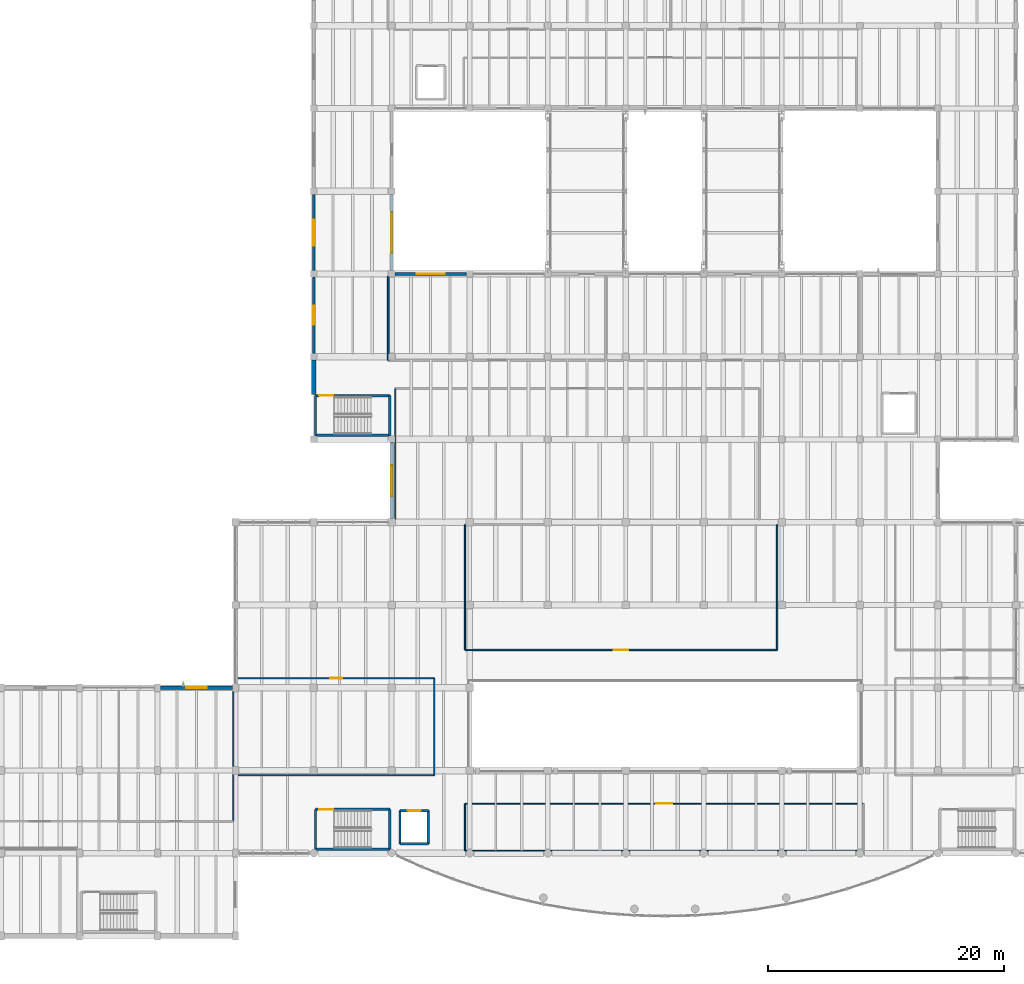
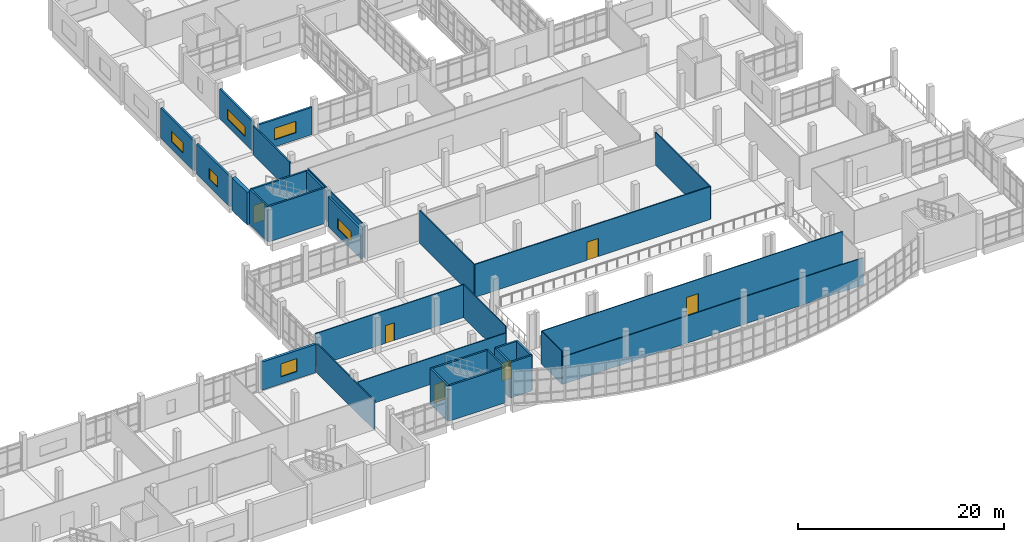
# One storey, part 50 of 67: 31 walls, 6 doors, 6 windows, 12 openings.
"""IFC4 building model written with IfcOpenShell, lengths in metres."""

from ifc_helpers import new_model, si_unit, direction, frame, frame_2d, origin, place, context, subcontext, project, spatial, rectangle, extrude, material, layer, layer_set, type_object, element, fill, save


model = new_model("IFC4")

# Units and contexts
model_context = context("Model", 3, precision=1e-05, world=origin(), true_north=direction((0.0, 1.0)))
body_context = subcontext(model_context, "Body", "Model", "MODEL_VIEW")
ifc_project = project(units=[si_unit("LENGTHUNIT", "METRE"), si_unit("AREAUNIT", "SQUARE_METRE"), si_unit("VOLUMEUNIT", "CUBIC_METRE"), si_unit("PLANEANGLEUNIT", "RADIAN"), si_unit("MASSUNIT", "GRAM", prefix="KILO")], contexts=[model_context])

# Site, building, storey
site_placement = place(None, origin())
site = spatial("IfcSite", under=ifc_project, at=site_placement, CompositionType="ELEMENT")
building_placement = place(site_placement, origin())
building = spatial("IfcBuilding", under=site, at=building_placement, Name="Ciguamira Faculty of Natural Sciences", CompositionType="ELEMENT")
storey_placement = place(building_placement, frame((0.0, 0.0, 8.39990234375)))
storey = spatial("IfcBuildingStorey", under=building, at=storey_placement, Name="L02", CompositionType="ELEMENT", Elevation=8.39990234375)

# Wall, opening, window
ifc_material_1 = material(Name="Precast concrete C40/50", Category="concrete")
ifc_layer_1 = layer(ifc_material_1, 0.280029296875, Name="Precast concrete C40/50")
ifc_layer_set_1 = layer_set([ifc_layer_1], Name="Precast concrete C40/50")
wall_type_1 = type_object("IfcWallType", Name="ExtWall_EW-01_280", PredefinedType="SOLIDWALL", material=ifc_layer_set_1)
wall_1_placement = place(storey_placement, frame((44.35009765625, 24.0, 0.0), z_axis=(0.0, 0.0, 1.0), x_axis=(1.0, 0.0, 0.0)))
wall_1 = element("IfcWall", 1, at=wall_1_placement, inside=storey, type_object=wall_type_1, Name="L02 exterior wall 0215", PredefinedType="SOLIDWALL", context=body_context, shape_type="SweptSolid", body=[
    extrude(rectangle(XDim=6.099853515625, YDim=0.280029296875, at=frame_2d((3.0498046875, 0.0))), origin(), (0.0, 0.0, 1.0), 3.34521484375),
])
opening_1_placement = place(wall_1_placement, frame((2.175048828125, 0.0, 0.85009765625)))
opening_1 = element("IfcOpeningElement", 2, at=opening_1_placement, cuts=wall_1, Name="Opening WT-39", PredefinedType="OPENING", context=body_context, shape_type="SweptSolid", body=[
    extrude(rectangle(XDim=1.75, YDim=1.550048828125, at=frame_2d((0.875, 0.77490234375))), frame((0.0, 0.14990234375, 0.0), z_axis=(0.0, -1.0, 0.0), x_axis=(1.0, 0.0, 0.0)), (0.0, 0.0, 1.0), 0.300048828125),
])
ifc_material_2 = material(Name="Hurricane laminated solar glass", Category="glass")
window_type_1 = type_object("IfcWindowType", Name="Window_WT-39_1750x1550", PartitioningType="DOUBLE_PANEL_VERTICAL", PredefinedType="WINDOW", material=ifc_material_2)
window_1_placement = place(opening_1_placement, origin())
window_1 = element("IfcWindow", 3, at=window_1_placement, inside=storey, type_object=window_type_1, Name="L02 facade window 0126", OverallHeight=1.550048828125, OverallWidth=1.75, PartitioningType="SINGLE_PANEL", PredefinedType="WINDOW", context=body_context, shape_type="SweptSolid", body=[
    extrude(rectangle(XDim=1.75, YDim=1.550048828125, at=frame_2d((0.875, 0.77490234375))), frame((0.0, 0.030029296875, 0.0), z_axis=(0.0, -1.0, 0.0), x_axis=(1.0, 0.0, 0.0)), (0.0, 0.0, 1.0), 0.06005859375),
])
fill(opening_1, window_1)

ifc_layer_2 = layer(ifc_material_1, 0.219970703125, Name="Precast concrete C40/50")
ifc_layer_set_2 = layer_set([ifc_layer_2], Name="Precast concrete C40/50")
wall_type_2 = type_object("IfcWallType", Name="ExtWall_EW-03_220", PredefinedType="SOLIDWALL", material=ifc_layer_set_2)
wall_2_placement = place(storey_placement, frame((64.175048828125, 59.0, 0.0), z_axis=(0.0, 0.0, 1.0), x_axis=(1.0, 0.0, 0.0)))
wall_2 = element("IfcWall", 4, at=wall_2_placement, inside=storey, type_object=wall_type_2, Name="L02 exterior wall 0216", PredefinedType="SOLIDWALL", context=body_context, shape_type="SweptSolid", body=[
    extrude(rectangle(XDim=6.050048828125, YDim=0.219970703125, at=frame_2d((3.02490234375, 0.0))), origin(), (0.0, 0.0, 1.0), 3.235107421875),
])
opening_2_placement = place(wall_2_placement, frame((1.824951171875, 0.0, 0.85009765625)))
opening_2 = element("IfcOpeningElement", 5, at=opening_2_placement, cuts=wall_2, Name="Opening WT-07", PredefinedType="OPENING", context=body_context, shape_type="SweptSolid", body=[
    extrude(rectangle(XDim=2.39990234375, YDim=1.35009765625, at=frame_2d((1.199951171875, 0.675048828125))), frame((0.0, 0.119873046875, 0.0), z_axis=(0.0, -1.0, 0.0), x_axis=(1.0, 0.0, 0.0)), (0.0, 0.0, 1.0), 0.239990234375),
])
window_type_2 = type_object("IfcWindowType", Name="Window_WT-07_2400x1350", PartitioningType="DOUBLE_PANEL_VERTICAL", PredefinedType="WINDOW", material=ifc_material_2)
window_2_placement = place(opening_2_placement, origin())
window_2 = element("IfcWindow", 6, at=window_2_placement, inside=storey, type_object=window_type_2, Name="L02 facade window 0127", OverallHeight=1.35009765625, OverallWidth=2.39990234375, PartitioningType="SINGLE_PANEL", PredefinedType="WINDOW", context=body_context, shape_type="SweptSolid", body=[
    extrude(rectangle(XDim=2.39990234375, YDim=1.35009765625, at=frame_2d((1.199951171875, 0.675048828125))), frame((0.0, 0.030029296875, 0.0), z_axis=(0.0, -1.0, 0.0), x_axis=(1.0, 0.0, 0.0)), (0.0, 0.0, 1.0), 0.06005859375),
])
fill(opening_2, window_2)

wall_3_placement = place(storey_placement, frame((57.300048828125, 52.27490234375, 0.0), z_axis=(0.0, 0.0, 1.0), x_axis=(0.0, 1.0, 0.0)))
wall_3 = element("IfcWall", 7, at=wall_3_placement, inside=storey, type_object=wall_type_2, Name="L02 exterior wall 0236", PredefinedType="SOLIDWALL", context=body_context, shape_type="SweptSolid", body=[
    extrude(rectangle(XDim=6.4501953125, YDim=0.219970703125, at=frame_2d((3.22509765625, 0.0))), origin(), (0.0, 0.0, 1.0), 3.565185546875),
])
opening_3_placement = place(wall_3_placement, frame((2.425048828125, 0.0, 0.85009765625)))
opening_3 = element("IfcOpeningElement", 8, at=opening_3_placement, cuts=wall_3, Name="Opening WT-16", PredefinedType="OPENING", context=body_context, shape_type="SweptSolid", body=[
    extrude(rectangle(XDim=1.60009765625, YDim=1.25, at=frame_2d((0.800048828125, 0.625))), frame((0.0, 0.119873046875, 0.0), z_axis=(0.0, -1.0, 0.0), x_axis=(1.0, 0.0, 0.0)), (0.0, 0.0, 1.0), 0.239990234375),
])
window_type_3 = type_object("IfcWindowType", Name="Window_WT-16_1600x1250", PartitioningType="DOUBLE_PANEL_VERTICAL", PredefinedType="WINDOW", material=ifc_material_2)
window_3_placement = place(opening_3_placement, origin())
window_3 = element("IfcWindow", 9, at=window_3_placement, inside=storey, type_object=window_type_3, Name="L02 facade window 0142", OverallHeight=1.25, OverallWidth=1.60009765625, PartitioningType="SINGLE_PANEL", PredefinedType="WINDOW", context=body_context, shape_type="SweptSolid", body=[
    extrude(rectangle(XDim=1.60009765625, YDim=1.25, at=frame_2d((0.800048828125, 0.625))), frame((0.0, 0.030029296875, 0.0), z_axis=(0.0, -1.0, 0.0), x_axis=(1.0, 0.0, 0.0)), (0.0, 0.0, 1.0), 0.06005859375),
])
fill(opening_3, window_3)

wall_4_placement = place(storey_placement, frame((57.300048828125, 59.27490234375, 0.0), z_axis=(0.0, 0.0, 1.0), x_axis=(0.0, 1.0, 0.0)))
wall_4 = element("IfcWall", 10, at=wall_4_placement, inside=storey, type_object=wall_type_2, Name="L02 exterior wall 0237", PredefinedType="SOLIDWALL", context=body_context, shape_type="SweptSolid", body=[
    extrude(rectangle(XDim=6.4501953125, YDim=0.219970703125, at=frame_2d((3.22509765625, 0.0))), origin(), (0.0, 0.0, 1.0), 3.565185546875),
])
opening_4_placement = place(wall_4_placement, frame((2.125, 0.0, 0.85009765625)))
opening_4 = element("IfcOpeningElement", 11, at=opening_4_placement, cuts=wall_4, Name="Opening WT-18", PredefinedType="OPENING", context=body_context, shape_type="SweptSolid", body=[
    extrude(rectangle(XDim=2.199951171875, YDim=1.25, at=frame_2d((1.10009765625, 0.625))), frame((0.0, 0.119873046875, 0.0), z_axis=(0.0, -1.0, 0.0), x_axis=(1.0, 0.0, 0.0)), (0.0, 0.0, 1.0), 0.239990234375),
])
window_type_4 = type_object("IfcWindowType", Name="Window_WT-18_2200x1250", PartitioningType="DOUBLE_PANEL_VERTICAL", PredefinedType="WINDOW", material=ifc_material_2)
window_4_placement = place(opening_4_placement, origin())
window_4 = element("IfcWindow", 12, at=window_4_placement, inside=storey, type_object=window_type_4, Name="L02 facade window 0143", OverallHeight=1.25, OverallWidth=2.199951171875, PartitioningType="SINGLE_PANEL", PredefinedType="WINDOW", context=body_context, shape_type="SweptSolid", body=[
    extrude(rectangle(XDim=2.199951171875, YDim=1.25, at=frame_2d((1.10009765625, 0.625))), frame((0.0, 0.030029296875, 0.0), z_axis=(0.0, -1.0, 0.0), x_axis=(1.0, 0.0, 0.0)), (0.0, 0.0, 1.0), 0.06005859375),
])
fill(opening_4, window_4)

wall_5_placement = place(storey_placement, frame((63.89990234375, 38.300048828125, 0.0), z_axis=(0.0, 0.0, 1.0), x_axis=(0.0, 1.0, 0.0)))
wall_5 = element("IfcWall", 13, at=wall_5_placement, inside=storey, type_object=wall_type_2, Name="L02 exterior wall 0244", PredefinedType="SOLIDWALL", context=body_context, shape_type="SweptSolid", body=[
    extrude(rectangle(XDim=6.425048828125, YDim=0.219970703125, at=frame_2d((3.21240234375, 0.0))), origin(), (0.0, 0.0, 1.0), 3.505126953125),
])
opening_5_placement = place(wall_5_placement, frame((1.91259765625, 0.0, 0.85009765625)))
opening_5 = element("IfcOpeningElement", 14, at=opening_5_placement, cuts=wall_5, Name="Opening WT-32", PredefinedType="OPENING", context=body_context, shape_type="SweptSolid", body=[
    extrude(rectangle(XDim=2.60009765625, YDim=1.199951171875, at=frame_2d((1.300048828125, 0.60009765625))), frame((0.0, 0.119873046875, 0.0), z_axis=(0.0, -1.0, 0.0), x_axis=(1.0, 0.0, 0.0)), (0.0, 0.0, 1.0), 0.239990234375),
])
window_type_5 = type_object("IfcWindowType", Name="Window_WT-32_2600x1200", PartitioningType="DOUBLE_PANEL_VERTICAL", PredefinedType="WINDOW", material=ifc_material_2)
window_5_placement = place(opening_5_placement, origin())
window_5 = element("IfcWindow", 15, at=window_5_placement, inside=storey, type_object=window_type_5, Name="L02 facade window 0150", OverallHeight=1.199951171875, OverallWidth=2.60009765625, PartitioningType="SINGLE_PANEL", PredefinedType="WINDOW", context=body_context, shape_type="SweptSolid", body=[
    extrude(rectangle(XDim=2.60009765625, YDim=1.199951171875, at=frame_2d((1.300048828125, 0.60009765625))), frame((0.0, 0.030029296875, 0.0), z_axis=(0.0, -1.0, 0.0), x_axis=(1.0, 0.0, 0.0)), (0.0, 0.0, 1.0), 0.06005859375),
])
fill(opening_5, window_5)

wall_6_placement = place(storey_placement, frame((63.89990234375, 59.27490234375, 0.0), z_axis=(0.0, 0.0, 1.0), x_axis=(0.0, 1.0, 0.0)))
wall_6 = element("IfcWall", 16, at=wall_6_placement, inside=storey, type_object=wall_type_2, Name="L02 exterior wall 0245", PredefinedType="SOLIDWALL", context=body_context, shape_type="SweptSolid", body=[
    extrude(rectangle(XDim=6.4501953125, YDim=0.219970703125, at=frame_2d((3.22509765625, 0.0))), origin(), (0.0, 0.0, 1.0), 3.505126953125),
])
opening_6_placement = place(wall_6_placement, frame((1.52490234375, 0.0, 0.85009765625)))
opening_6 = element("IfcOpeningElement", 17, at=opening_6_placement, cuts=wall_6, Name="Opening WT-34", PredefinedType="OPENING", context=body_context, shape_type="SweptSolid", body=[
    extrude(rectangle(XDim=3.39990234375, YDim=1.199951171875, at=frame_2d((1.699951171875, 0.60009765625))), frame((0.0, 0.119873046875, 0.0), z_axis=(0.0, -1.0, 0.0), x_axis=(1.0, 0.0, 0.0)), (0.0, 0.0, 1.0), 0.239990234375),
])
window_type_6 = type_object("IfcWindowType", Name="Window_WT-34_3400x1200", PartitioningType="DOUBLE_PANEL_VERTICAL", PredefinedType="WINDOW", material=ifc_material_2)
window_6_placement = place(opening_6_placement, origin())
window_6 = element("IfcWindow", 18, at=window_6_placement, inside=storey, type_object=window_type_6, Name="L02 facade window 0151", OverallHeight=1.199951171875, OverallWidth=3.39990234375, PartitioningType="SINGLE_PANEL", PredefinedType="WINDOW", context=body_context, shape_type="SweptSolid", body=[
    extrude(rectangle(XDim=3.39990234375, YDim=1.199951171875, at=frame_2d((1.699951171875, 0.60009765625))), frame((0.0, 0.030029296875, 0.0), z_axis=(0.0, -1.0, 0.0), x_axis=(1.0, 0.0, 0.0)), (0.0, 0.0, 1.0), 0.06005859375),
])
fill(opening_6, window_6)

# Walls
ifc_material_3 = material(Name="Concrete C40/50", Category="concrete")
ifc_layer_3 = layer(ifc_material_3, 0.39990234375, Name="Concrete C40/50")
ifc_layer_set_3 = layer_set([ifc_layer_3], Name="Concrete C40/50")
wall_type_3 = type_object("IfcWallType", Name="ExtWall_RW-02_400", PredefinedType="SHEAR", material=ifc_layer_set_3)
wall_7_placement = place(storey_placement, frame((57.300048828125, 48.81005859375, 0.0), z_axis=(0.0, 0.0, 1.0), x_axis=(0.0, 1.0, 0.0)))
element("IfcWall", 19, at=wall_7_placement, inside=storey, type_object=wall_type_3, Name="L02 exterior wall 0235", PredefinedType="SHEAR", context=body_context, shape_type="SweptSolid", body=[
    extrude(rectangle(XDim=2.9150390625, YDim=0.39990234375, at=frame_2d((1.45751953125, 0.0))), origin(), (0.0, 0.0, 1.0), 3.85009765625),
])
ifc_layer_4 = layer(ifc_material_3, 0.199951171875, Name="Concrete C40/50")
ifc_layer_set_4 = layer_set([ifc_layer_4], Name="Concrete C40/50")
wall_type_4 = type_object("IfcWallType", Name="IntWall_CW-S20_200", PredefinedType="SHEAR", material=ifc_layer_set_4)
wall_8_placement = place(storey_placement, frame((57.449951171875, 10.35009765625, 0.0), z_axis=(0.0, 0.0, 1.0), x_axis=(1.0, 0.0, 0.0)))
element("IfcWall", 20, at=wall_8_placement, inside=storey, type_object=wall_type_4, Name="L02 ST-A1 core shear wall south", PredefinedType="SHEAR", context=body_context, shape_type="SweptSolid", body=[
    extrude(rectangle(XDim=6.300048828125, YDim=0.199951171875, at=frame_2d((3.14990234375, 0.0))), origin(), (0.0, 0.0, 1.0), 4.2001953125),
])

# Wall, opening, door
wall_9_placement = place(storey_placement, frame((57.449951171875, 13.7099609375, 0.0), z_axis=(0.0, 0.0, 1.0), x_axis=(1.0, 0.0, 0.0)))
wall_9 = element("IfcWall", 21, at=wall_9_placement, inside=storey, type_object=wall_type_4, Name="L02 ST-A1 core shear wall north", PredefinedType="SHEAR", context=body_context, shape_type="SweptSolid", body=[
    extrude(rectangle(XDim=6.300048828125, YDim=0.199951171875, at=frame_2d((3.14990234375, 0.0))), origin(), (0.0, 0.0, 1.0), 4.2001953125),
])
opening_7_placement = place(wall_9_placement, frame((0.320068359375, 0.0, 0.0)))
opening_7 = element("IfcOpeningElement", 22, at=opening_7_placement, cuts=wall_9, Name="Opening ID-14", PredefinedType="OPENING", context=body_context, shape_type="SweptSolid", body=[
    extrude(rectangle(XDim=1.199951171875, YDim=2.14990234375, at=frame_2d((0.60009765625, 1.074951171875))), frame((0.0, 0.10986328125, 0.0), z_axis=(0.0, -1.0, 0.0), x_axis=(1.0, 0.0, 0.0)), (0.0, 0.0, 1.0), 0.219970703125),
])
ifc_material_4 = material(Name="Protected exit stair fire door")
door_type_1 = type_object("IfcDoorType", Name="IntDoor_ID-14_1200x2150", OperationType="NOTDEFINED", PredefinedType="DOOR", material=ifc_material_4)
door_1_placement = place(opening_7_placement, frame((1.199951171875, 0.0, 0.0), z_axis=(0.0, 0.0, 1.0), x_axis=(-1.0, 0.0, 0.0)))
door_1 = element("IfcDoor", 23, at=door_1_placement, inside=storey, type_object=door_type_1, Name="L02 ST-A1 exit stair fire door", OperationType="SINGLE_SWING_RIGHT", OverallHeight=2.14990234375, OverallWidth=1.199951171875, PredefinedType="DOOR", context=body_context, shape_type="SweptSolid", body=[
    extrude(rectangle(XDim=1.199951171875, YDim=2.14990234375, at=frame_2d((0.60009765625, 1.074951171875))), frame((0.0, 0.02490234375, 0.0), z_axis=(0.0, -1.0, 0.0), x_axis=(1.0, 0.0, 0.0)), (0.0, 0.0, 1.0), 0.050048828125),
])
fill(opening_7, door_1)

# Walls
for number, where, z_axis, x_axis, name in (
    (24, (57.449951171875, 10.35009765625, 0.0), (0.0, 0.0, 1.0), (0.0, 1.0, 0.0), "L02 ST-A1 core shear wall west"),
    (25, (63.75, 10.35009765625, 0.0), (0.0, 0.0, 1.0), (0.0, 1.0, 0.0), "L02 ST-A1 core shear wall east"),
):
    element("IfcWall", number, at=place(storey_placement, frame(where, z_axis=z_axis, x_axis=x_axis)), inside=storey, type_object=wall_type_4, Name=name, PredefinedType="SHEAR", context=body_context, shape_type="SweptSolid", body=[
        extrude(rectangle(XDim=3.35986328125, YDim=0.199951171875, at=frame_2d((1.679931640625, 0.0))), origin(), (0.0, 0.0, 1.0), 4.2001953125),
    ])
wall_10_placement = place(storey_placement, frame((57.449951171875, 45.35009765625, 0.0), z_axis=(0.0, 0.0, 1.0), x_axis=(1.0, 0.0, 0.0)))
element("IfcWall", 26, at=wall_10_placement, inside=storey, type_object=wall_type_4, Name="L02 ST-W1 core shear wall south", PredefinedType="SHEAR", context=body_context, shape_type="SweptSolid", body=[
    extrude(rectangle(XDim=6.300048828125, YDim=0.199951171875, at=frame_2d((3.14990234375, 0.0))), origin(), (0.0, 0.0, 1.0), 4.2001953125),
])

# Wall, opening, door
wall_11_placement = place(storey_placement, frame((57.449951171875, 48.7099609375, 0.0), z_axis=(0.0, 0.0, 1.0), x_axis=(1.0, 0.0, 0.0)))
wall_11 = element("IfcWall", 27, at=wall_11_placement, inside=storey, type_object=wall_type_4, Name="L02 ST-W1 core shear wall north", PredefinedType="SHEAR", context=body_context, shape_type="SweptSolid", body=[
    extrude(rectangle(XDim=6.300048828125, YDim=0.199951171875, at=frame_2d((3.14990234375, 0.0))), origin(), (0.0, 0.0, 1.0), 4.2001953125),
])
opening_8_placement = place(wall_11_placement, frame((0.320068359375, 0.0, 0.0)))
opening_8 = element("IfcOpeningElement", 28, at=opening_8_placement, cuts=wall_11, Name="Opening ID-14", PredefinedType="OPENING", context=body_context, shape_type="SweptSolid", body=[
    extrude(rectangle(XDim=1.199951171875, YDim=2.14990234375, at=frame_2d((0.60009765625, 1.074951171875))), frame((0.0, 0.10986328125, 0.0), z_axis=(0.0, -1.0, 0.0), x_axis=(1.0, 0.0, 0.0)), (0.0, 0.0, 1.0), 0.219970703125),
])
door_2_placement = place(opening_8_placement, frame((1.199951171875, 0.0, 0.0), z_axis=(0.0, 0.0, 1.0), x_axis=(-1.0, 0.0, 0.0)))
door_2 = element("IfcDoor", 29, at=door_2_placement, inside=storey, type_object=door_type_1, Name="L02 ST-W1 exit stair fire door", OperationType="SINGLE_SWING_LEFT", OverallHeight=2.14990234375, OverallWidth=1.199951171875, PredefinedType="DOOR", context=body_context, shape_type="SweptSolid", body=[
    extrude(rectangle(XDim=1.199951171875, YDim=2.14990234375, at=frame_2d((0.60009765625, 1.074951171875))), frame((0.0, 0.02490234375, 0.0), z_axis=(0.0, -1.0, 0.0), x_axis=(1.0, 0.0, 0.0)), (0.0, 0.0, 1.0), 0.050048828125),
])
fill(opening_8, door_2)

# Walls
for number, where, z_axis, x_axis, name in (
    (30, (57.449951171875, 45.35009765625, 0.0), (0.0, 0.0, 1.0), (0.0, 1.0, 0.0), "L02 ST-W1 core shear wall west"),
    (31, (63.75, 45.35009765625, 0.0), (0.0, 0.0, 1.0), (0.0, 1.0, 0.0), "L02 ST-W1 core shear wall east"),
):
    element("IfcWall", number, at=place(storey_placement, frame(where, z_axis=z_axis, x_axis=x_axis)), inside=storey, type_object=wall_type_4, Name=name, PredefinedType="SHEAR", context=body_context, shape_type="SweptSolid", body=[
        extrude(rectangle(XDim=3.35986328125, YDim=0.199951171875, at=frame_2d((1.679931640625, 0.0))), origin(), (0.0, 0.0, 1.0), 4.2001953125),
    ])
wall_12_placement = place(storey_placement, frame((64.60009765625, 10.800048828125, 0.0), z_axis=(0.0, 0.0, 1.0), x_axis=(1.0, 0.0, 0.0)))
element("IfcWall", 32, at=wall_12_placement, inside=storey, type_object=wall_type_4, Name="L02 EL-P3 hoistway wall south", PredefinedType="SHEAR", context=body_context, shape_type="SweptSolid", body=[
    extrude(rectangle(XDim=2.39990234375, YDim=0.199951171875, at=frame_2d((1.199951171875, 0.0))), origin(), (0.0, 0.0, 1.0), 4.2001953125),
])

# Wall, opening, door
wall_13_placement = place(storey_placement, frame((64.60009765625, 13.60009765625, 0.0), z_axis=(0.0, 0.0, 1.0), x_axis=(1.0, 0.0, 0.0)))
wall_13 = element("IfcWall", 33, at=wall_13_placement, inside=storey, type_object=wall_type_4, Name="L02 EL-P3 hoistway wall north", PredefinedType="SHEAR", context=body_context, shape_type="SweptSolid", body=[
    extrude(rectangle(XDim=2.39990234375, YDim=0.199951171875, at=frame_2d((1.199951171875, 0.0))), origin(), (0.0, 0.0, 1.0), 4.2001953125),
])
opening_9_placement = place(wall_13_placement, frame((0.64990234375, 0.0, 0.0)))
opening_9 = element("IfcOpeningElement", 34, at=opening_9_placement, cuts=wall_13, Name="Opening LD-01", PredefinedType="OPENING", context=body_context, shape_type="SweptSolid", body=[
    extrude(rectangle(XDim=1.10009765625, YDim=2.14990234375, at=frame_2d((0.550048828125, 1.074951171875))), frame((0.0, 0.10986328125, 0.0), z_axis=(0.0, -1.0, 0.0), x_axis=(1.0, 0.0, 0.0)), (0.0, 0.0, 1.0), 0.219970703125),
])
ifc_material_5 = material(Name="Passenger elevator sliding landing door")
door_type_2 = type_object("IfcDoorType", Name="LiftLandingDoor_LD-01_1100x2150", OperationType="SLIDING_TO_LEFT", PredefinedType="DOOR", material=ifc_material_5)
door_3_placement = place(opening_9_placement, origin())
door_3 = element("IfcDoor", 35, at=door_3_placement, inside=storey, type_object=door_type_2, Name="L02 EL-P3 elevator landing sliding door", OperationType="SLIDING_TO_LEFT", OverallHeight=2.14990234375, OverallWidth=1.10009765625, PredefinedType="DOOR", context=body_context, shape_type="SweptSolid", body=[
    extrude(rectangle(XDim=1.10009765625, YDim=2.14990234375, at=frame_2d((0.550048828125, 1.074951171875))), frame((0.0, 0.02490234375, 0.0), z_axis=(0.0, -1.0, 0.0), x_axis=(1.0, 0.0, 0.0)), (0.0, 0.0, 1.0), 0.050048828125),
])
fill(opening_9, door_3)

# Walls
for number, where, z_axis, x_axis, name in (
    (36, (64.60009765625, 10.800048828125, 0.0), (0.0, 0.0, 1.0), (0.0, 1.0, 0.0), "L02 EL-P3 hoistway wall west"),
    (37, (67.0, 10.800048828125, 0.0), (0.0, 0.0, 1.0), (0.0, 1.0, 0.0), "L02 EL-P3 hoistway wall east"),
):
    element("IfcWall", number, at=place(storey_placement, frame(where, z_axis=z_axis, x_axis=x_axis)), inside=storey, type_object=wall_type_4, Name=name, PredefinedType="SHEAR", context=body_context, shape_type="SweptSolid", body=[
        extrude(rectangle(XDim=2.800048828125, YDim=0.199951171875, at=frame_2d((1.39990234375, 0.0))), origin(), (0.0, 0.0, 1.0), 4.2001953125),
    ])
ifc_material_6 = material(Name="Fire-rated gypsum partition")
ifc_layer_5 = layer(ifc_material_6, 0.10009765625, Name="Fire-rated gypsum partition")
ifc_layer_set_5 = layer_set([ifc_layer_5], Name="Fire-rated gypsum partition")
wall_type_5 = type_object("IfcWallType", Name="IntWall_IW-A10_100", PredefinedType="PARTITIONING", material=ifc_layer_set_5)
wall_14_placement = place(storey_placement, frame((50.89990234375, 16.60009765625, 0.0), z_axis=(0.0, 0.0, 1.0), x_axis=(1.0, 0.0, 0.0)))
element("IfcWall", 38, at=wall_14_placement, inside=storey, type_object=wall_type_5, Name="L02 Entomology and Reef Ecology Gallery partition south", PredefinedType="PARTITIONING", context=body_context, shape_type="SweptSolid", body=[
    extrude(rectangle(XDim=16.60009765625, YDim=0.10009765625, at=frame_2d((8.300048828125, 0.0))), origin(), (0.0, 0.0, 1.0), 3.135009765625),
])

# Wall, opening, door
wall_15_placement = place(storey_placement, frame((50.89990234375, 24.800048828125, 0.0), z_axis=(0.0, 0.0, 1.0), x_axis=(1.0, 0.0, 0.0)))
wall_15 = element("IfcWall", 39, at=wall_15_placement, inside=storey, type_object=wall_type_5, Name="L02 Entomology and Reef Ecology Gallery partition north", PredefinedType="PARTITIONING", context=body_context, shape_type="SweptSolid", body=[
    extrude(rectangle(XDim=16.60009765625, YDim=0.10009765625, at=frame_2d((8.300048828125, 0.0))), origin(), (0.0, 0.0, 1.0), 3.900146484375),
])
opening_10_placement = place(wall_15_placement, frame((7.800048828125, 0.0, 0.0)))
opening_10 = element("IfcOpeningElement", 40, at=opening_10_placement, cuts=wall_15, Name="Opening ID-03", PredefinedType="OPENING", context=body_context, shape_type="SweptSolid", body=[
    extrude(rectangle(XDim=1.0, YDim=2.10009765625, at=frame_2d((0.5, 1.050048828125))), frame((0.0, 0.06005859375, 0.0), z_axis=(0.0, -1.0, 0.0), x_axis=(1.0, 0.0, 0.0)), (0.0, 0.0, 1.0), 0.1201171875),
])
ifc_material_7 = material(Name="Restroom lobby fire door")
door_type_3 = type_object("IfcDoorType", Name="IntDoor_ID-03_1000x2100", OperationType="NOTDEFINED", PredefinedType="DOOR", material=ifc_material_7)
door_4_placement = place(opening_10_placement, frame((1.0, 0.0, 0.0), z_axis=(0.0, 0.0, 1.0), x_axis=(-1.0, 0.0, 0.0)))
door_4 = element("IfcDoor", 41, at=door_4_placement, inside=storey, type_object=door_type_3, Name="L02 Entomology and Reef Ecology Gallery door", OperationType="SINGLE_SWING_RIGHT", OverallHeight=2.10009765625, OverallWidth=1.0, PredefinedType="DOOR", context=body_context, shape_type="SweptSolid", body=[
    extrude(rectangle(XDim=1.0, YDim=2.10009765625, at=frame_2d((0.5, 1.050048828125))), frame((0.0, 0.02490234375, 0.0), z_axis=(0.0, -1.0, 0.0), x_axis=(1.0, 0.0, 0.0)), (0.0, 0.0, 1.0), 0.050048828125),
])
fill(opening_10, door_4)

# Walls
wall_16_placement = place(storey_placement, frame((67.5, 16.60009765625, 0.0), z_axis=(0.0, 0.0, 1.0), x_axis=(0.0, 1.0, 0.0)))
element("IfcWall", 42, at=wall_16_placement, inside=storey, type_object=wall_type_5, Name="L02 Entomology and Reef Ecology Gallery partition east", PredefinedType="PARTITIONING", context=body_context, shape_type="SweptSolid", body=[
    extrude(rectangle(XDim=8.199951171875, YDim=0.10009765625, at=frame_2d((4.10009765625, 0.0))), origin(), (0.0, 0.0, 1.0), 3.900146484375),
])
wall_17_placement = place(storey_placement, frame((70.10009765625, 10.199951171875, 0.0), z_axis=(0.0, 0.0, 1.0), x_axis=(1.0, 0.0, 0.0)))
element("IfcWall", 43, at=wall_17_placement, inside=storey, type_object=wall_type_5, Name="L02 L02 South Promenade Study Gallery partition south", PredefinedType="PARTITIONING", context=body_context, shape_type="SweptSolid", body=[
    extrude(rectangle(XDim=33.699951171875, YDim=0.10009765625, at=frame_2d((16.85009765625, 0.0))), origin(), (0.0, 0.0, 1.0), 3.235107421875),
])

# Wall, opening, door
wall_18_placement = place(storey_placement, frame((70.10009765625, 14.199951171875, 0.0), z_axis=(0.0, 0.0, 1.0), x_axis=(1.0, 0.0, 0.0)))
wall_18 = element("IfcWall", 44, at=wall_18_placement, inside=storey, type_object=wall_type_5, Name="L02 L02 South Promenade Study Gallery partition north", PredefinedType="PARTITIONING", context=body_context, shape_type="SweptSolid", body=[
    extrude(rectangle(XDim=33.699951171875, YDim=0.10009765625, at=frame_2d((16.85009765625, 0.0))), origin(), (0.0, 0.0, 1.0), 3.900146484375),
])
opening_11_placement = place(wall_18_placement, frame((16.175048828125, 0.0, 0.0)))
opening_11 = element("IfcOpeningElement", 45, at=opening_11_placement, cuts=wall_18, Name="Opening ID-07", PredefinedType="OPENING", context=body_context, shape_type="SweptSolid", body=[
    extrude(rectangle(XDim=1.35009765625, YDim=2.199951171875, at=frame_2d((0.675048828125, 1.10009765625))), frame((0.0, 0.06005859375, 0.0), z_axis=(0.0, -1.0, 0.0), x_axis=(1.0, 0.0, 0.0)), (0.0, 0.0, 1.0), 0.1201171875),
])
ifc_material_8 = material(Name="Laboratory prep fire door")
door_type_4 = type_object("IfcDoorType", Name="IntDoor_ID-07_1350x2200", OperationType="NOTDEFINED", PredefinedType="DOOR", material=ifc_material_8)
door_5_placement = place(opening_11_placement, frame((1.35009765625, 0.0, 0.0), z_axis=(0.0, 0.0, 1.0), x_axis=(-1.0, 0.0, 0.0)))
door_5 = element("IfcDoor", 46, at=door_5_placement, inside=storey, type_object=door_type_4, Name="L02 L02 South Promenade Study Gallery door", OperationType="SINGLE_SWING_RIGHT", OverallHeight=2.199951171875, OverallWidth=1.35009765625, PredefinedType="DOOR", context=body_context, shape_type="SweptSolid", body=[
    extrude(rectangle(XDim=1.35009765625, YDim=2.199951171875, at=frame_2d((0.675048828125, 1.10009765625))), frame((0.0, 0.02490234375, 0.0), z_axis=(0.0, -1.0, 0.0), x_axis=(1.0, 0.0, 0.0)), (0.0, 0.0, 1.0), 0.050048828125),
])
fill(opening_11, door_5)

# Walls
wall_19_placement = place(storey_placement, frame((70.10009765625, 10.199951171875, 0.0), z_axis=(0.0, 0.0, 1.0), x_axis=(0.0, 1.0, 0.0)))
element("IfcWall", 47, at=wall_19_placement, inside=storey, type_object=wall_type_5, Name="L02 L02 South Promenade Study Gallery partition west", PredefinedType="PARTITIONING", context=body_context, shape_type="SweptSolid", body=[
    extrude(rectangle(XDim=4.0, YDim=0.10009765625, at=frame_2d((2.0, 0.0))), origin(), (0.0, 0.0, 1.0), 3.900146484375),
])
ifc_material_9 = material(Name="Acoustic double-stud gypsum partition")
ifc_layer_6 = layer(ifc_material_9, 0.1201171875, Name="Acoustic double-stud gypsum partition")
ifc_layer_set_6 = layer_set([ifc_layer_6], Name="Acoustic double-stud gypsum partition")
wall_type_6 = type_object("IfcWallType", Name="IntWall_IW-A12_120", PredefinedType="PARTITIONING", material=ifc_layer_set_6)
wall_20_placement = place(storey_placement, frame((50.5, 12.699951171875, 0.0), z_axis=(0.0, 0.0, 1.0), x_axis=(0.0, 1.0, 0.0)))
element("IfcWall", 48, at=wall_20_placement, inside=storey, type_object=wall_type_6, Name="L02 Graduate Research Seminar Room partition east", PredefinedType="PARTITIONING", context=body_context, shape_type="SweptSolid", body=[
    extrude(rectangle(XDim=11.10009765625, YDim=0.1201171875, at=frame_2d((5.550048828125, 0.0))), origin(), (0.0, 0.0, 1.0), 3.485107421875),
])

# Wall, opening, door
wall_21_placement = place(storey_placement, frame((70.10009765625, 27.199951171875, 0.0), z_axis=(0.0, 0.0, 1.0), x_axis=(1.0, 0.0, 0.0)))
wall_21 = element("IfcWall", 49, at=wall_21_placement, inside=storey, type_object=wall_type_6, Name="L02 Interdisciplinary Seminar Room B partition south", PredefinedType="PARTITIONING", context=body_context, shape_type="SweptSolid", body=[
    extrude(rectangle(XDim=26.39990234375, YDim=0.1201171875, at=frame_2d((13.199951171875, 0.0))), origin(), (0.0, 0.0, 1.0), 3.900146484375),
])
opening_12_placement = place(wall_21_placement, frame((12.574951171875, 0.0, 0.0)))
opening_12 = element("IfcOpeningElement", 50, at=opening_12_placement, cuts=wall_21, Name="Opening ID-06", PredefinedType="OPENING", context=body_context, shape_type="SweptSolid", body=[
    extrude(rectangle(XDim=1.25, YDim=2.14990234375, at=frame_2d((0.625, 1.074951171875))), frame((0.0, 0.070068359375, 0.0), z_axis=(0.0, -1.0, 0.0), x_axis=(1.0, 0.0, 0.0)), (0.0, 0.0, 1.0), 0.14013671875),
])
ifc_material_10 = material(Name="Instrument room leaf-and-half door")
door_type_5 = type_object("IfcDoorType", Name="IntDoor_ID-06_1250x2150", OperationType="NOTDEFINED", PredefinedType="DOOR", material=ifc_material_10)
door_6_placement = place(opening_12_placement, origin())
door_6 = element("IfcDoor", 51, at=door_6_placement, inside=storey, type_object=door_type_5, Name="L02 Interdisciplinary Seminar Room B door", OperationType="SINGLE_SWING_LEFT", OverallHeight=2.14990234375, OverallWidth=1.25, PredefinedType="DOOR", context=body_context, shape_type="SweptSolid", body=[
    extrude(rectangle(XDim=1.25, YDim=2.14990234375, at=frame_2d((0.625, 1.074951171875))), frame((0.0, 0.02490234375, 0.0), z_axis=(0.0, -1.0, 0.0), x_axis=(1.0, 0.0, 0.0)), (0.0, 0.0, 1.0), 0.050048828125),
])
fill(opening_12, door_6)

# Walls
for number, where, z_axis, x_axis, name in (
    (52, (70.10009765625, 27.199951171875, 0.0), (0.0, 0.0, 1.0), (0.0, 1.0, 0.0), "L02 Interdisciplinary Seminar Room B partition west"),
    (53, (96.5, 27.199951171875, 0.0), (0.0, 0.0, 1.0), (0.0, 1.0, 0.0), "L02 Interdisciplinary Seminar Room B partition east"),
):
    element("IfcWall", number, at=place(storey_placement, frame(where, z_axis=z_axis, x_axis=x_axis)), inside=storey, type_object=wall_type_6, Name=name, PredefinedType="PARTITIONING", context=body_context, shape_type="SweptSolid", body=[
        extrude(rectangle(XDim=10.60009765625, YDim=0.1201171875, at=frame_2d((5.300048828125, 0.0))), origin(), (0.0, 0.0, 1.0), 3.900146484375),
    ])
wall_22_placement = place(storey_placement, frame((64.199951171875, 38.199951171875, 0.0), z_axis=(0.0, 0.0, 1.0), x_axis=(0.0, 1.0, 0.0)))
element("IfcWall", 54, at=wall_22_placement, inside=storey, type_object=wall_type_6, Name="L02 L02 South Lab Seminar Room partition west", PredefinedType="PARTITIONING", context=body_context, shape_type="SweptSolid", body=[
    extrude(rectangle(XDim=11.10009765625, YDim=0.1201171875, at=frame_2d((5.550048828125, 0.0))), origin(), (0.0, 0.0, 1.0), 3.900146484375),
])
ifc_material_11 = material(Name="Acoustic laboratory corridor partition")
ifc_layer_7 = layer(ifc_material_11, 0.14990234375, Name="Acoustic laboratory corridor partition")
ifc_layer_set_7 = layer_set([ifc_layer_7], Name="Acoustic laboratory corridor partition")
wall_type_7 = type_object("IfcWallType", Name="IntWall_IW-G15_150", PredefinedType="PARTITIONING", material=ifc_layer_set_7)
wall_23_placement = place(storey_placement, frame((63.60009765625, 51.699951171875, 0.0), z_axis=(0.0, 0.0, 1.0), x_axis=(0.0, 1.0, 0.0)))
element("IfcWall", 55, at=wall_23_placement, inside=storey, type_object=wall_type_7, Name="L02 Analytical Spectroscopy Laboratory partition west", PredefinedType="PARTITIONING", context=body_context, shape_type="SweptSolid", body=[
    extrude(rectangle(XDim=7.10009765625, YDim=0.14990234375, at=frame_2d((3.550048828125, 0.0))), origin(), (0.0, 0.0, 1.0), 3.445068359375),
])

save(model, "model.ifc")
